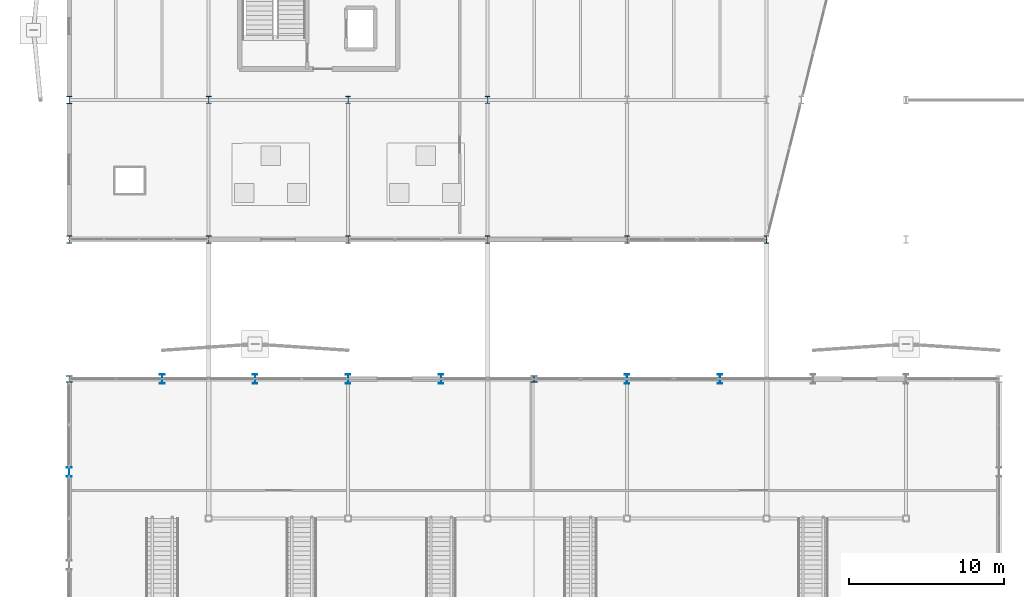
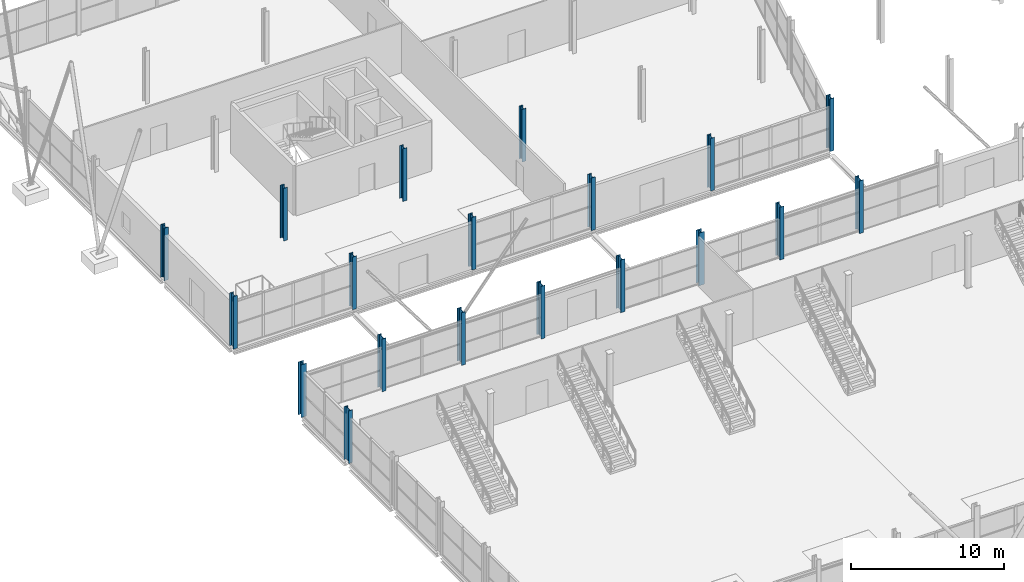
# One storey, part 4 of 140: 19 columns.
"""IFC4 building model written with IfcOpenShell, lengths in metres."""

import ifcopenshell
import ifcopenshell.guid

model = None  # the IFC model being written
_history = None  # IfcOwnerHistory: only IFC2X3 demands one
_inside = {}  # id of a spatial element -> (the spatial element, [elements in it])
_under = {}  # id of a project, library or spatial element -> (it, [spatial elements below it])
_declared = {}  # id of a project -> (the project, [libraries it declares])
_typed = {}  # id of a type object -> (the type object, [elements of that type])
_made_of = {}  # id of a material, layer set ... -> (it, [elements and type objects made of it])


def new_model(schema):
    """Start an empty IFC model of exactly this schema.

    Asked for "IFC4X3", IfcOpenShell would pick the latest addendum, in which some entities
    have other attributes; the version numbers below select the first issue.
    IFC2X3 requires an IfcOwnerHistory on every rooted entity: one is made here for all.
    """
    global model, _history
    if schema == "IFC4X3":
        model = ifcopenshell.file(schema_version=(4, 3, 0, 0))
    else:
        model = ifcopenshell.file(schema=schema)
    _inside.clear()
    _under.clear()
    _declared.clear()
    _typed.clear()
    _made_of.clear()
    _history = None
    if model.schema == "IFC2X3":
        org = make("IfcOrganization", Name="unknown")
        user = make(
            "IfcPersonAndOrganization",
            ThePerson=make("IfcPerson", FamilyName="unknown"),
            TheOrganization=org,
        )
        app = make(
            "IfcApplication",
            ApplicationDeveloper=org,
            Version="unknown",
            ApplicationFullName="unknown",
            ApplicationIdentifier="unknown",
        )
        _history = make(
            "IfcOwnerHistory",
            OwningUser=user,
            OwningApplication=app,
            ChangeAction="ADDED",
            CreationDate=0,
        )
    return model


def make(cls, **values):
    """One entity of the class cls with the attributes given. An attribute that is None is left unset."""
    return model.create_entity(
        cls, **{name: value for name, value in values.items() if value is not None}
    )


def rooted(cls, **values):
    """An entity with a GlobalId (a new one), such as an element, a storey or a relation."""
    return make(cls, GlobalId=ifcopenshell.guid.new(), OwnerHistory=_history, **values)


def si_unit(unit_type, name, prefix=None):
    """IfcSIUnit, for example si_unit("LENGTHUNIT", "METRE", prefix="MILLI")."""
    return make("IfcSIUnit", UnitType=unit_type, Prefix=prefix, Name=name)


def assignment(units):
    """IfcUnitAssignment: the units of a project."""
    return None if units is None else make("IfcUnitAssignment", Units=units)


def point(xyz):
    """IfcCartesianPoint."""
    return None if xyz is None else make("IfcCartesianPoint", Coordinates=xyz)


def direction(xyz):
    """IfcDirection."""
    return None if xyz is None else make("IfcDirection", DirectionRatios=xyz)


def frame(location, z_axis=None, x_axis=None):
    """IfcAxis2Placement3D, a coordinate frame: its origin and axes. An axis left out is left unset."""
    return make(
        "IfcAxis2Placement3D",
        Location=point(location),
        Axis=direction(z_axis),
        RefDirection=direction(x_axis),
    )


def frame_2d(location, x_axis=None):
    """IfcAxis2Placement2D, a coordinate frame in the plane: its origin and x axis."""
    return make(
        "IfcAxis2Placement2D", Location=point(location), RefDirection=direction(x_axis)
    )


def origin():
    """The frame at (0, 0, 0) with its axes left unset."""
    return frame((0.0, 0.0, 0.0))


def origin_2d():
    """The frame at (0, 0) in the plane with its x axis left unset."""
    return frame_2d((0.0, 0.0))


def place(relative_to, where):
    """IfcLocalPlacement: puts the frame where relative to a parent placement (None: the world)."""
    return make(
        "IfcLocalPlacement", PlacementRelTo=relative_to, RelativePlacement=where
    )


def context(
    kind, dimensions, precision=None, world=None, true_north=None, identifier=None
):
    """IfcGeometricRepresentationContext, for example the 3D "Model" context."""
    return make(
        "IfcGeometricRepresentationContext",
        ContextIdentifier=identifier,
        ContextType=kind,
        CoordinateSpaceDimension=dimensions,
        Precision=precision,
        WorldCoordinateSystem=world,
        TrueNorth=true_north,
    )


def subcontext(parent, identifier, kind, view, scale=None):
    """IfcGeometricRepresentationSubContext, for example "Body" below "Model"."""
    return make(
        "IfcGeometricRepresentationSubContext",
        ContextIdentifier=identifier,
        ContextType=kind,
        ParentContext=parent,
        TargetScale=scale,
        TargetView=view,
    )


def project(units=None, contexts=None):
    """IfcProject with its units and contexts."""
    return rooted(
        "IfcProject",
        Name="project",
        RepresentationContexts=contexts,
        UnitsInContext=assignment(units),
    )


def spatial(cls, under=None, at=None, **own):
    """A site, building, storey or space (cls), placed at a placement, below another one or the project."""
    s = rooted(cls, ObjectPlacement=at, **own)
    if under is not None:
        _under.setdefault(under.id(), (under, []))[1].append(s)
    return s


def profile(cls, at=None, kind="AREA", **sizes):
    """A parametric profile (cls). Its sizes go by their IFC names, for example OverallWidth=200.0."""
    return make(cls, ProfileType=kind, Position=at, **sizes)


def i_section(**sizes):
    """IfcIShapeProfileDef."""
    return profile("IfcIShapeProfileDef", **sizes)


def extrude(swept, where, along, depth):
    """IfcExtrudedAreaSolid: the profile swept, set in the frame where, extruded along a direction by depth."""
    return make(
        "IfcExtrudedAreaSolid",
        SweptArea=swept,
        Position=where,
        ExtrudedDirection=direction(along),
        Depth=depth,
    )


def shape(context_of_items, identifier, shape_type, items):
    """IfcShapeRepresentation: the items that make up one representation, for example the "Body"."""
    return make(
        "IfcShapeRepresentation",
        ContextOfItems=context_of_items,
        RepresentationIdentifier=identifier,
        RepresentationType=shape_type,
        Items=items,
    )


def material(Name=None, Category=None):
    """IfcMaterial."""
    return make("IfcMaterial", Name=Name, Category=Category)


def material_profile(
    of_material, cross_section, Name=None, Category=None, Priority=None
):
    """IfcMaterialProfile: a cross section and its material."""
    return make(
        "IfcMaterialProfile",
        Name=Name,
        Material=of_material,
        Profile=cross_section,
        Priority=Priority,
        Category=Category,
    )


def profile_set(profiles, Name=None, composite=None):
    """IfcMaterialProfileSet."""
    return make(
        "IfcMaterialProfileSet",
        Name=Name,
        MaterialProfiles=profiles,
        CompositeProfile=composite,
    )


def made_of(thing, what):
    """Note that an element or type object is made of a material, layer set ...; save() writes the relation."""
    if what is not None:
        _made_of.setdefault(what.id(), (what, []))[1].append(thing)
    return thing


def type_object(cls, material=None, **own):
    """A type object (cls), such as IfcWallType, which elements share."""
    return made_of(rooted(cls, **own), material)


def element(
    cls,
    number,
    at=None,
    inside=None,
    cuts=None,
    type_object=None,
    material=None,
    context=None,
    identifier="Body",
    shape_type=None,
    held_by="IfcProductDefinitionShape",
    body=None,
    shapes=None,
    **own,
):
    """One element of the class cls, such as IfcWall. Its Tag is "e" and its number.

    at: its placement. inside: the storey or other place that contains it. cuts: it is an
    opening in that element (IfcRelVoidsElement). A single representation is given by context,
    identifier, shape_type and body (its items); several are given by shapes. held_by: the class
    of the entity that holds the representations. save() writes the other relations.
    """
    e = rooted(cls, Tag="e%d" % number, ObjectPlacement=at, **own)
    if body is not None:
        shapes = [shape(context, identifier, shape_type, body)]
    if shapes is not None:
        e.Representation = make(held_by, Representations=shapes)
    if inside is not None:
        _inside.setdefault(inside.id(), (inside, []))[1].append(e)
    if cuts is not None:
        rooted(
            "IfcRelVoidsElement", RelatingBuildingElement=cuts, RelatedOpeningElement=e
        )
    if type_object is not None:
        _typed.setdefault(type_object.id(), (type_object, []))[1].append(e)
    return made_of(e, material)


def aggregate(whole, parts):
    """IfcRelAggregates: a whole, such as a stair, and the parts it consists of."""
    return rooted("IfcRelAggregates", RelatingObject=whole, RelatedObjects=parts)


def save(model, path):
    """Write the relations noted so far, then the file.

    IfcRelAggregates (storeys below a building ...), IfcRelContainedInSpatialStructure (elements
    in a storey), IfcRelDefinesByType, IfcRelAssociatesMaterial and IfcRelDeclares: one each for
    every whole, place, type object, material and project.
    """
    for whole, parts in _under.values():
        aggregate(whole, parts)
    for where, things in _inside.values():
        rooted(
            "IfcRelContainedInSpatialStructure",
            RelatedElements=things,
            RelatingStructure=where,
        )
    for kind, things in _typed.values():
        rooted("IfcRelDefinesByType", RelatedObjects=things, RelatingType=kind)
    for what, things in _made_of.values():
        rooted("IfcRelAssociatesMaterial", RelatedObjects=things, RelatingMaterial=what)
    for by, libraries in _declared.values():
        rooted("IfcRelDeclares", RelatingContext=by, RelatedDefinitions=libraries)
    model.write(path)


model = new_model("IFC4")

# Units and contexts
model_context = context("Model", 3, precision=1e-05, world=origin(), true_north=direction((0.0, 1.0)))
body_context = subcontext(model_context, "Body", "Model", "MODEL_VIEW")
ifc_project = project(units=[si_unit("LENGTHUNIT", "METRE"), si_unit("AREAUNIT", "SQUARE_METRE"), si_unit("VOLUMEUNIT", "CUBIC_METRE"), si_unit("PLANEANGLEUNIT", "RADIAN"), si_unit("MASSUNIT", "GRAM", prefix="KILO")], contexts=[model_context])

# Site, building, storey
site_placement = place(None, origin())
site = spatial("IfcSite", under=ifc_project, at=site_placement, CompositionType="ELEMENT")
building_placement = place(site_placement, origin())
building = spatial("IfcBuilding", under=site, at=building_placement, Name="Deido Ridge Mobility Hub", CompositionType="ELEMENT")
storey_placement = place(building_placement, origin())
storey = spatial("IfcBuildingStorey", under=building, at=storey_placement, Name="L00", CompositionType="ELEMENT", Elevation=0.0)

# Columns
ifc_material = material(Name="Steel S355J2 EN 10025-2", Category="steel")
ifc_material_profile_1 = material_profile(ifc_material, i_section(OverallWidth=0.406005859375, OverallDepth=0.416015625, WebThickness=0.02392578125, FlangeThickness=0.0390625, FilletRadius=0.014892578125, at=origin_2d()), Name="HD 400x382")
ifc_profile_set_1 = profile_set([ifc_material_profile_1], Name="Steel S355J2 EN 10025-2")
column_type_1 = type_object("IfcColumnType", Name="COL-HD400-382", PredefinedType="COLUMN", material=ifc_profile_set_1)
for number, where, z_axis, x_axis, name in (
    (1, (0.0, 36.0, 0.0), (0.0, 0.0, 1.0), (1.0, 0.0, 0.0), "Structural column MC4"),
    (2, (30.0, 36.0, 0.0), (0.0, 0.0, 1.0), (1.0, 0.0, 0.0), "Structural column MC6"),
):
    element("IfcColumn", number, at=place(storey_placement, frame(where, z_axis=z_axis, x_axis=x_axis)), inside=storey, type_object=column_type_1, Name=name, PredefinedType="COLUMN", context=body_context, shape_type="SweptSolid", body=[
        extrude(i_section(OverallWidth=0.406005859375, OverallDepth=0.416015625, WebThickness=0.02392578125, FlangeThickness=0.0390625, FilletRadius=0.014892578125, at=origin_2d()), origin(), (0.0, 0.0, 1.0), 4.199951171875),
    ])
ifc_material_profile_2 = material_profile(ifc_material, i_section(OverallWidth=0.300048828125, OverallDepth=0.449951171875, WebThickness=0.013916015625, FlangeThickness=0.02587890625, FilletRadius=0.027099609375, at=origin_2d()), Name="HEB 450")
ifc_profile_set_2 = profile_set([ifc_material_profile_2], Name="Steel S355J2 EN 10025-2")
column_type_2 = type_object("IfcColumnType", Name="COL-HEB450", PredefinedType="COLUMN", material=ifc_profile_set_2)
for number, where, z_axis, x_axis, name in (
    (3, (9.0, 54.0, 0.0), (0.0, 0.0, 1.0), (1.0, 0.0, 0.0), "Structural column C6"),
    (4, (18.0, 54.0, 0.0), (0.0, 0.0, 1.0), (1.0, 0.0, 0.0), "Structural column C6"),
    (5, (27.0, 54.0, 0.0), (0.0, 0.0, 1.0), (1.0, 0.0, 0.0), "Structural column C6"),
):
    element("IfcColumn", number, at=place(storey_placement, frame(where, z_axis=z_axis, x_axis=x_axis)), inside=storey, type_object=column_type_2, Name=name, PredefinedType="COLUMN", context=body_context, shape_type="SweptSolid", body=[
        extrude(i_section(OverallWidth=0.300048828125, OverallDepth=0.449951171875, WebThickness=0.013916015625, FlangeThickness=0.02587890625, FilletRadius=0.027099609375, at=origin_2d()), origin(), (0.0, 0.0, 1.0), 4.199951171875),
    ])
ifc_material_profile_3 = material_profile(ifc_material, i_section(OverallWidth=0.300048828125, OverallDepth=0.5, WebThickness=0.014404296875, FlangeThickness=0.028076171875, FilletRadius=0.027099609375, at=origin_2d()), Name="HEB 500")
ifc_profile_set_3 = profile_set([ifc_material_profile_3], Name="Steel S355J2 EN 10025-2")
column_type_3 = type_object("IfcColumnType", Name="COL-HEB500", PredefinedType="COLUMN", material=ifc_profile_set_3)
for number, where, z_axis, x_axis, name in (
    (6, (0.0, 45.0, 0.0), (0.0, 0.0, 1.0), (1.0, 0.0, 0.0), "Structural column C5"),
    (7, (9.0, 45.0, 0.0), (0.0, 0.0, 1.0), (1.0, 0.0, 0.0), "Structural column C5"),
    (8, (18.0, 45.0, 0.0), (0.0, 0.0, 1.0), (1.0, 0.0, 0.0), "Structural column C5"),
    (9, (27.0, 45.0, 0.0), (0.0, 0.0, 1.0), (1.0, 0.0, 0.0), "Structural column C5"),
    (10, (36.0, 45.0, 0.0), (0.0, 0.0, 1.0), (1.0, 0.0, 0.0), "Structural column C5"),
    (11, (45.0, 45.0, 0.0), (0.0, 0.0, 1.0), (1.0, 0.0, 0.0), "Structural column C5"),
    (12, (0.0, 54.0, 0.0), (0.0, 0.0, 1.0), (1.0, 0.0, 0.0), "Structural column C5"),
):
    element("IfcColumn", number, at=place(storey_placement, frame(where, z_axis=z_axis, x_axis=x_axis)), inside=storey, type_object=column_type_3, Name=name, PredefinedType="COLUMN", context=body_context, shape_type="SweptSolid", body=[
        extrude(i_section(OverallWidth=0.300048828125, OverallDepth=0.5, WebThickness=0.014404296875, FlangeThickness=0.028076171875, FilletRadius=0.027099609375, at=origin_2d()), origin(), (0.0, 0.0, 1.0), 4.199951171875),
    ])
ifc_material_profile_4 = material_profile(ifc_material, i_section(OverallWidth=0.300048828125, OverallDepth=0.60009765625, WebThickness=0.015380859375, FlangeThickness=0.030029296875, FilletRadius=0.027099609375, at=origin_2d()), Name="HEB 600")
ifc_profile_set_4 = profile_set([ifc_material_profile_4], Name="Steel S355J2 EN 10025-2")
column_type_4 = type_object("IfcColumnType", Name="COL-HEB600", PredefinedType="COLUMN", material=ifc_profile_set_4)
for number, where, z_axis, x_axis, name in (
    (13, (6.0, 36.0, 0.0), (0.0, 0.0, 1.0), (1.0, 0.0, 0.0), "Structural column C4"),
    (14, (12.0, 36.0, 0.0), (0.0, 0.0, 1.0), (1.0, 0.0, 0.0), "Structural column C4"),
    (15, (18.0, 36.0, 0.0), (0.0, 0.0, 1.0), (1.0, 0.0, 0.0), "Structural column C4"),
    (16, (24.0, 36.0, 0.0), (0.0, 0.0, 1.0), (1.0, 0.0, 0.0), "Structural column C4"),
    (17, (36.0, 36.0, 0.0), (0.0, 0.0, 1.0), (1.0, 0.0, 0.0), "Structural column C4"),
    (18, (42.0, 36.0, 0.0), (0.0, 0.0, 1.0), (1.0, 0.0, 0.0), "Structural column C4"),
    (19, (0.0, 30.0, 0.0), (0.0, 0.0, 1.0), (1.0, 0.0, 0.0), "Structural column C4"),
):
    element("IfcColumn", number, at=place(storey_placement, frame(where, z_axis=z_axis, x_axis=x_axis)), inside=storey, type_object=column_type_4, Name=name, PredefinedType="COLUMN", context=body_context, shape_type="SweptSolid", body=[
        extrude(i_section(OverallWidth=0.300048828125, OverallDepth=0.60009765625, WebThickness=0.015380859375, FlangeThickness=0.030029296875, FilletRadius=0.027099609375, at=origin_2d()), origin(), (0.0, 0.0, 1.0), 4.199951171875),
    ])

save(model, "model.ifc")
